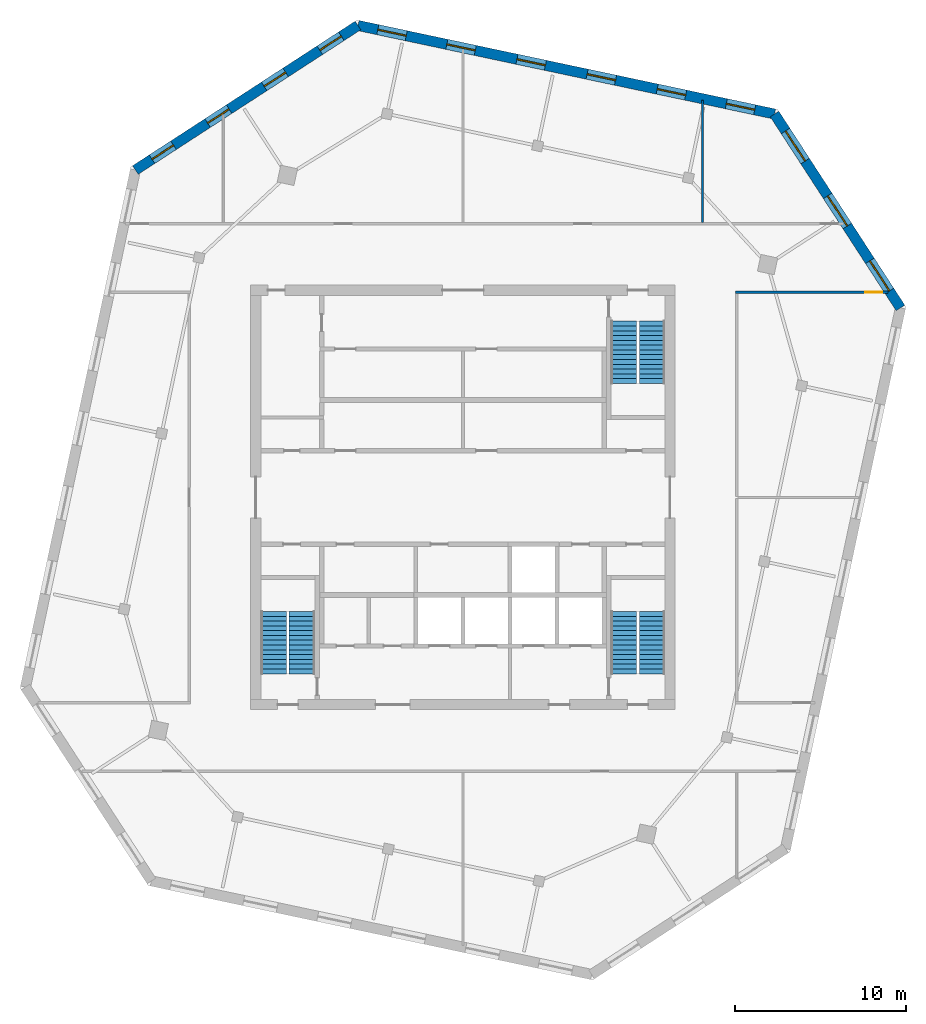
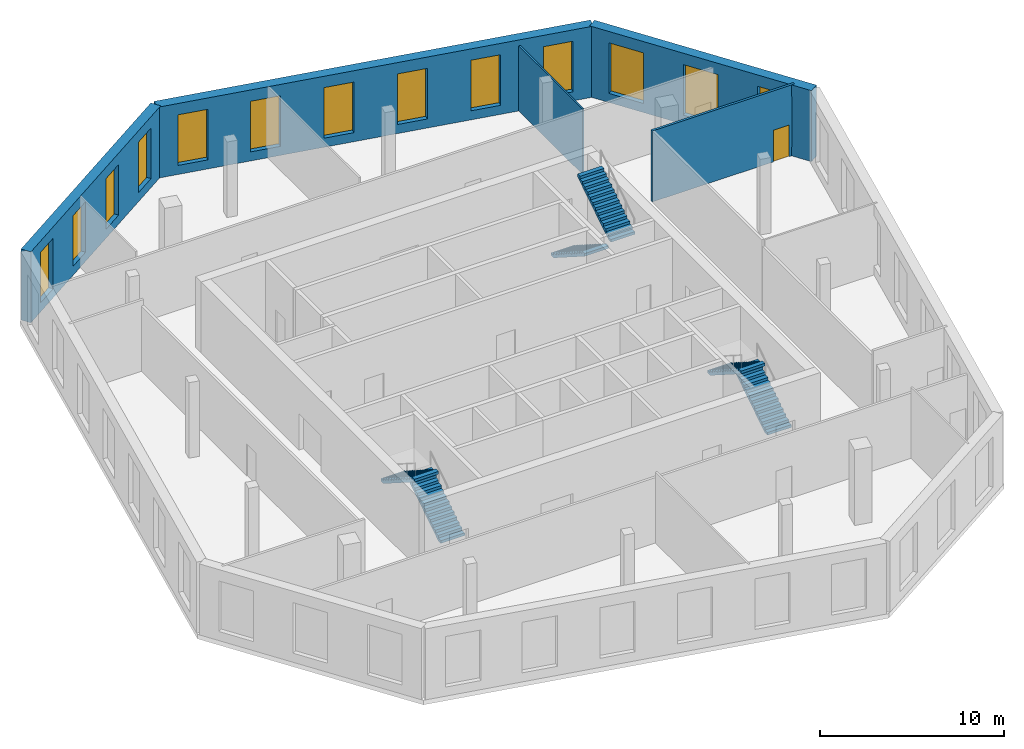
# One storey, part 5 of 6: 13 windows, 6 stair flights, 5 walls, 1 door, 14 openings, 3 elements without a shape of their own.
"""IFC4 building model written with IfcOpenShell, lengths in metres."""

from ifc_helpers import new_model, si_unit, direction, frame, frame_2d, origin, place, context, subcontext, project, spatial, polyline, rectangle, outline, extrude, material, layer, layer_set, type_object, element, fill, aggregate, save


model = new_model("IFC4")

# Units and contexts
model_context = context("Model", 3, precision=1e-05, world=origin(), true_north=direction((0.0, 1.0)))
body_context = subcontext(model_context, "Body", "Model", "MODEL_VIEW")
ifc_project = project(units=[si_unit("LENGTHUNIT", "METRE"), si_unit("AREAUNIT", "SQUARE_METRE"), si_unit("VOLUMEUNIT", "CUBIC_METRE"), si_unit("PLANEANGLEUNIT", "RADIAN"), si_unit("MASSUNIT", "GRAM", prefix="KILO")], contexts=[model_context])

# Site, building, storey
site_placement = place(None, origin())
site = spatial("IfcSite", under=ifc_project, at=site_placement, CompositionType="ELEMENT")
building_placement = place(site_placement, origin())
building = spatial("IfcBuilding", under=site, at=building_placement, Name="Dilmun Exchange Tower", CompositionType="ELEMENT")
storey_placement = place(building_placement, frame((0.0, 0.0, 358.10009765625)))
storey = spatial("IfcBuildingStorey", under=building, at=storey_placement, Name="Crown L84", CompositionType="ELEMENT", Elevation=358.10009765625)

# Wall, opening, door
ifc_material_1 = material(Name="Fire partition EI 60 150 gypsum")
ifc_layer_1 = layer(ifc_material_1, 0.14990234375)
ifc_layer_set_1 = layer_set([ifc_layer_1], Name="Fire partition EI 60 150 gypsum")
wall_type_1 = type_object("IfcWallType", Name="Fire partition EI 60 150 gypsum", PredefinedType="PARTITIONING", material=ifc_layer_set_1)
wall_1_placement = place(storey_placement, frame((15.925048828125, 12.0, 0.0), z_axis=(0.0, 0.0, 1.0), x_axis=(1.0, 0.0, 0.0)))
wall_1 = element("IfcWall", 1, at=wall_1_placement, inside=storey, type_object=wall_type_1, Name="Crown L84 partition", PredefinedType="PARTITIONING", context=body_context, shape_type="SweptSolid", body=[
    extrude(rectangle(XDim=8.91650390625, YDim=0.14990234375, at=frame_2d((4.458251953125, 0.0))), origin(), (0.0, 0.0, 1.0), 4.699951171875),
])
opening_1_placement = place(wall_1_placement, frame((7.574951171875, 0.0, 0.0)))
opening_1 = element("IfcOpeningElement", 2, at=opening_1_placement, cuts=wall_1, Name="Opening CrownL84-D010", PredefinedType="OPENING", context=body_context, shape_type="SweptSolid", body=[
    extrude(rectangle(XDim=1.0, YDim=2.10009765625, at=frame_2d((0.5, 1.050048828125))), frame((0.0, 0.0849609375, 0.0), z_axis=(0.0, -1.0, 0.0), x_axis=(1.0, 0.0, 0.0)), (0.0, 0.0, 1.0), 0.169921875),
])
ifc_material_2 = material(Name="Fire door FD60 1000 x 2100")
door_type = type_object("IfcDoorType", Name="Fire door FD60 1000 x 2100", OperationType="SINGLE_SWING_LEFT", PredefinedType="DOOR", material=ifc_material_2)
door_placement = place(opening_1_placement, origin())
door = element("IfcDoor", 3, at=door_placement, inside=storey, type_object=door_type, Name="Crown L84 door CrownL84-D010", OperationType="SINGLE_SWING_RIGHT", OverallHeight=2.10009765625, OverallWidth=1.0, PredefinedType="DOOR", context=body_context, shape_type="SweptSolid", body=[
    extrude(rectangle(XDim=1.0, YDim=2.10009765625, at=frame_2d((0.5, 1.050048828125))), frame((0.0, 0.02490234375, 0.0), z_axis=(0.0, -1.0, 0.0), x_axis=(1.0, 0.0, 0.0)), (0.0, 0.0, 1.0), 0.050048828125),
])
fill(opening_1, door)

# Wall
ifc_material_3 = material(Name="Partition 100 gypsum")
ifc_layer_2 = layer(ifc_material_3, 0.10009765625)
ifc_layer_set_2 = layer_set([ifc_layer_2], Name="Partition 100 gypsum")
wall_type_2 = type_object("IfcWallType", Name="Partition 100 gypsum", PredefinedType="PARTITIONING", material=ifc_layer_set_2)
wall_2_placement = place(storey_placement, frame((14.0, 16.074951171875, 0.0), z_axis=(0.0, 0.0, 1.0), x_axis=(0.0, 1.0, 0.0)))
element("IfcWall", 4, at=wall_2_placement, inside=storey, type_object=wall_type_2, Name="Crown L84 partition", PredefinedType="PARTITIONING", context=body_context, shape_type="SweptSolid", body=[
    extrude(rectangle(XDim=7.12109375, YDim=0.10009765625, at=frame_2d((3.560546875, 0.0))), origin(), (0.0, 0.0, 1.0), 4.31982421875),
])

# Wall, openings, windows
ifc_material_4 = material(Name="Precast concrete C50/60", Category="concrete")
ifc_layer_3 = layer(ifc_material_4, 0.60009765625)
ifc_layer_set_3 = layer_set([ifc_layer_3], Name="Precast concrete C50/60")
wall_type_3 = type_object("IfcWallType", Name="Precast stone-clad wall 600", PredefinedType="STANDARD", material=ifc_layer_set_3)
wall_3_placement = place(storey_placement, frame((25.561279296875, 11.075439453125, 0.0), z_axis=(0.0, 0.0, 1.0), x_axis=(-0.544642093959, 0.838668581436, 0.0)))
wall_3 = element("IfcWall", 5, at=wall_3_placement, inside=storey, type_object=wall_type_3, Name="Facade wall Crown L84-03", PredefinedType="STANDARD", context=body_context, shape_type="SweptSolid", body=[
    extrude(rectangle(XDim=13.5087890625, YDim=0.60009765625, at=frame_2d((6.75439453125, 0.0))), origin(), (0.0, 0.0, 1.0), 4.699951171875),
])
opening_2_placement = place(wall_3_placement, frame((1.180908203125, 0.0, 0.60009765625)))
opening_2 = element("IfcOpeningElement", 6, at=opening_2_placement, cuts=wall_3, Name="Opening LV210-335", PredefinedType="OPENING", context=body_context, shape_type="SweptSolid", body=[
    extrude(rectangle(XDim=2.10009765625, YDim=3.35009765625, at=frame_2d((1.050048828125, 1.675048828125))), frame((0.0, 0.31005859375, 0.0), z_axis=(0.0, -1.0, 0.0), x_axis=(1.0, 0.0, 0.0)), (0.0, 0.0, 1.0), 0.6201171875),
])
opening_3_placement = place(wall_3_placement, frame((5.704345703125, 0.0, 0.60009765625)))
opening_3 = element("IfcOpeningElement", 7, at=opening_3_placement, cuts=wall_3, Name="Opening LV210-335", PredefinedType="OPENING", context=body_context, shape_type="SweptSolid", body=[
    extrude(rectangle(XDim=2.10009765625, YDim=3.35009765625, at=frame_2d((1.050048828125, 1.675048828125))), frame((0.0, 0.31005859375, 0.0), z_axis=(0.0, -1.0, 0.0), x_axis=(1.0, 0.0, 0.0)), (0.0, 0.0, 1.0), 0.6201171875),
])
opening_4_placement = place(wall_3_placement, frame((10.22802734375, 0.0, 0.60009765625)))
opening_4 = element("IfcOpeningElement", 8, at=opening_4_placement, cuts=wall_3, Name="Opening LV210-335", PredefinedType="OPENING", context=body_context, shape_type="SweptSolid", body=[
    extrude(rectangle(XDim=2.10009765625, YDim=3.35009765625, at=frame_2d((1.050048828125, 1.675048828125))), frame((0.0, 0.31005859375, 0.0), z_axis=(0.0, -1.0, 0.0), x_axis=(1.0, 0.0, 0.0)), (0.0, 0.0, 1.0), 0.6201171875),
])
ifc_material_5 = material(Name="Anodised aluminium louvre blades with sand trap", Category="aluminium")
window_type_1 = type_object("IfcWindowType", Name="Plant louvre 2100 x 3350", PartitioningType="SINGLE_PANEL", PredefinedType="USERDEFINED", material=ifc_material_5)
window_1_placement = place(opening_2_placement, origin())
window_1 = element("IfcWindow", 9, at=window_1_placement, inside=storey, type_object=window_type_1, Name="Plant louvre 4.1", ObjectType="LOUVRE", OverallHeight=3.35009765625, OverallWidth=2.10009765625, PartitioningType="SINGLE_PANEL", PredefinedType="USERDEFINED", context=body_context, shape_type="SweptSolid", body=[
    extrude(rectangle(XDim=2.10009765625, YDim=3.35009765625, at=frame_2d((1.050048828125, 1.675048828125))), frame((0.0, 0.030029296875, 0.0), z_axis=(0.0, -1.0, 0.0), x_axis=(1.0, 0.0, 0.0)), (0.0, 0.0, 1.0), 0.06005859375),
])
fill(opening_2, window_1)
window_2_placement = place(opening_3_placement, origin())
window_2 = element("IfcWindow", 10, at=window_2_placement, inside=storey, type_object=window_type_1, Name="Plant louvre 4.2", ObjectType="LOUVRE", OverallHeight=3.35009765625, OverallWidth=2.10009765625, PartitioningType="SINGLE_PANEL", PredefinedType="USERDEFINED", context=body_context, shape_type="SweptSolid", body=[
    extrude(rectangle(XDim=2.10009765625, YDim=3.35009765625, at=frame_2d((1.050048828125, 1.675048828125))), frame((0.0, 0.030029296875, 0.0), z_axis=(0.0, -1.0, 0.0), x_axis=(1.0, 0.0, 0.0)), (0.0, 0.0, 1.0), 0.06005859375),
])
fill(opening_3, window_2)
window_3_placement = place(opening_4_placement, origin())
window_3 = element("IfcWindow", 11, at=window_3_placement, inside=storey, type_object=window_type_1, Name="Plant louvre 4.3", ObjectType="LOUVRE", OverallHeight=3.35009765625, OverallWidth=2.10009765625, PartitioningType="SINGLE_PANEL", PredefinedType="USERDEFINED", context=body_context, shape_type="SweptSolid", body=[
    extrude(rectangle(XDim=2.10009765625, YDim=3.35009765625, at=frame_2d((1.050048828125, 1.675048828125))), frame((0.0, 0.030029296875, 0.0), z_axis=(0.0, -1.0, 0.0), x_axis=(1.0, 0.0, 0.0)), (0.0, 0.0, 1.0), 0.06005859375),
])
fill(opening_4, window_3)

wall_4_placement = place(storey_placement, frame((18.203857421875, 22.40478515625, 0.0), z_axis=(0.0, 0.0, 1.0), x_axis=(-0.978147852091, 0.20791050827, 0.0)))
wall_4 = element("IfcWall", 12, at=wall_4_placement, inside=storey, type_object=wall_type_3, Name="Facade wall Crown L84-04", PredefinedType="STANDARD", context=body_context, shape_type="SweptSolid", body=[
    extrude(rectangle(XDim=24.88134765625, YDim=0.60009765625, at=frame_2d((12.440673828125, 0.0))), origin(), (0.0, 0.0, 1.0), 4.699951171875),
])
opening_5_placement = place(wall_4_placement, frame((1.181884765625, 0.0, 0.60009765625)))
opening_5 = element("IfcOpeningElement", 13, at=opening_5_placement, cuts=wall_4, Name="Opening LV170-335", PredefinedType="OPENING", context=body_context, shape_type="SweptSolid", body=[
    extrude(rectangle(XDim=1.699951171875, YDim=3.35009765625, at=frame_2d((0.85009765625, 1.675048828125))), frame((0.0, 0.31005859375, 0.0), z_axis=(0.0, -1.0, 0.0), x_axis=(1.0, 0.0, 0.0)), (0.0, 0.0, 1.0), 0.6201171875),
])
opening_6_placement = place(wall_4_placement, frame((5.30810546875, 0.0, 0.60009765625)))
opening_6 = element("IfcOpeningElement", 14, at=opening_6_placement, cuts=wall_4, Name="Opening LV170-335", PredefinedType="OPENING", context=body_context, shape_type="SweptSolid", body=[
    extrude(rectangle(XDim=1.699951171875, YDim=3.35009765625, at=frame_2d((0.85009765625, 1.675048828125))), frame((0.0, 0.31005859375, 0.0), z_axis=(0.0, -1.0, 0.0), x_axis=(1.0, 0.0, 0.0)), (0.0, 0.0, 1.0), 0.6201171875),
])
opening_7_placement = place(wall_4_placement, frame((9.49658203125, 0.0, 0.60009765625)))
opening_7 = element("IfcOpeningElement", 15, at=opening_7_placement, cuts=wall_4, Name="Opening LV170-335", PredefinedType="OPENING", context=body_context, shape_type="SweptSolid", body=[
    extrude(rectangle(XDim=1.699951171875, YDim=3.35009765625, at=frame_2d((0.85009765625, 1.675048828125))), frame((0.0, 0.31005859375, 0.0), z_axis=(0.0, -1.0, 0.0), x_axis=(1.0, 0.0, 0.0)), (0.0, 0.0, 1.0), 0.6201171875),
])
opening_8_placement = place(wall_4_placement, frame((13.684814453125, 0.0, 0.60009765625)))
opening_8 = element("IfcOpeningElement", 16, at=opening_8_placement, cuts=wall_4, Name="Opening LV170-335", PredefinedType="OPENING", context=body_context, shape_type="SweptSolid", body=[
    extrude(rectangle(XDim=1.699951171875, YDim=3.35009765625, at=frame_2d((0.85009765625, 1.675048828125))), frame((0.0, 0.31005859375, 0.0), z_axis=(0.0, -1.0, 0.0), x_axis=(1.0, 0.0, 0.0)), (0.0, 0.0, 1.0), 0.6201171875),
])
opening_9_placement = place(wall_4_placement, frame((17.873291015625, 0.0, 0.60009765625)))
opening_9 = element("IfcOpeningElement", 17, at=opening_9_placement, cuts=wall_4, Name="Opening LV170-335", PredefinedType="OPENING", context=body_context, shape_type="SweptSolid", body=[
    extrude(rectangle(XDim=1.699951171875, YDim=3.35009765625, at=frame_2d((0.85009765625, 1.675048828125))), frame((0.0, 0.31005859375, 0.0), z_axis=(0.0, -1.0, 0.0), x_axis=(1.0, 0.0, 0.0)), (0.0, 0.0, 1.0), 0.6201171875),
])
opening_10_placement = place(wall_4_placement, frame((21.99951171875, 0.0, 0.60009765625)))
opening_10 = element("IfcOpeningElement", 18, at=opening_10_placement, cuts=wall_4, Name="Opening LV170-335", PredefinedType="OPENING", context=body_context, shape_type="SweptSolid", body=[
    extrude(rectangle(XDim=1.699951171875, YDim=3.35009765625, at=frame_2d((0.85009765625, 1.675048828125))), frame((0.0, 0.31005859375, 0.0), z_axis=(0.0, -1.0, 0.0), x_axis=(1.0, 0.0, 0.0)), (0.0, 0.0, 1.0), 0.6201171875),
])
window_type_2 = type_object("IfcWindowType", Name="Plant louvre 1700 x 3350", PartitioningType="SINGLE_PANEL", PredefinedType="USERDEFINED", material=ifc_material_5)
window_4_placement = place(opening_5_placement, origin())
window_4 = element("IfcWindow", 19, at=window_4_placement, inside=storey, type_object=window_type_2, Name="Plant louvre 5.1", ObjectType="LOUVRE", OverallHeight=3.35009765625, OverallWidth=1.699951171875, PartitioningType="SINGLE_PANEL", PredefinedType="USERDEFINED", context=body_context, shape_type="SweptSolid", body=[
    extrude(rectangle(XDim=1.699951171875, YDim=3.35009765625, at=frame_2d((0.85009765625, 1.675048828125))), frame((0.0, 0.030029296875, 0.0), z_axis=(0.0, -1.0, 0.0), x_axis=(1.0, 0.0, 0.0)), (0.0, 0.0, 1.0), 0.06005859375),
])
fill(opening_5, window_4)
window_5_placement = place(opening_6_placement, origin())
window_5 = element("IfcWindow", 20, at=window_5_placement, inside=storey, type_object=window_type_2, Name="Plant louvre 5.2", ObjectType="LOUVRE", OverallHeight=3.35009765625, OverallWidth=1.699951171875, PartitioningType="SINGLE_PANEL", PredefinedType="USERDEFINED", context=body_context, shape_type="SweptSolid", body=[
    extrude(rectangle(XDim=1.699951171875, YDim=3.35009765625, at=frame_2d((0.85009765625, 1.675048828125))), frame((0.0, 0.030029296875, 0.0), z_axis=(0.0, -1.0, 0.0), x_axis=(1.0, 0.0, 0.0)), (0.0, 0.0, 1.0), 0.06005859375),
])
fill(opening_6, window_5)
window_6_placement = place(opening_7_placement, origin())
window_6 = element("IfcWindow", 21, at=window_6_placement, inside=storey, type_object=window_type_2, Name="Plant louvre 5.3", ObjectType="LOUVRE", OverallHeight=3.35009765625, OverallWidth=1.699951171875, PartitioningType="SINGLE_PANEL", PredefinedType="USERDEFINED", context=body_context, shape_type="SweptSolid", body=[
    extrude(rectangle(XDim=1.699951171875, YDim=3.35009765625, at=frame_2d((0.85009765625, 1.675048828125))), frame((0.0, 0.030029296875, 0.0), z_axis=(0.0, -1.0, 0.0), x_axis=(1.0, 0.0, 0.0)), (0.0, 0.0, 1.0), 0.06005859375),
])
fill(opening_7, window_6)
window_7_placement = place(opening_8_placement, origin())
window_7 = element("IfcWindow", 22, at=window_7_placement, inside=storey, type_object=window_type_2, Name="Plant louvre 5.4", ObjectType="LOUVRE", OverallHeight=3.35009765625, OverallWidth=1.699951171875, PartitioningType="SINGLE_PANEL", PredefinedType="USERDEFINED", context=body_context, shape_type="SweptSolid", body=[
    extrude(rectangle(XDim=1.699951171875, YDim=3.35009765625, at=frame_2d((0.85009765625, 1.675048828125))), frame((0.0, 0.030029296875, 0.0), z_axis=(0.0, -1.0, 0.0), x_axis=(1.0, 0.0, 0.0)), (0.0, 0.0, 1.0), 0.06005859375),
])
fill(opening_8, window_7)
window_8_placement = place(opening_9_placement, origin())
window_8 = element("IfcWindow", 23, at=window_8_placement, inside=storey, type_object=window_type_2, Name="Plant louvre 5.5", ObjectType="LOUVRE", OverallHeight=3.35009765625, OverallWidth=1.699951171875, PartitioningType="SINGLE_PANEL", PredefinedType="USERDEFINED", context=body_context, shape_type="SweptSolid", body=[
    extrude(rectangle(XDim=1.699951171875, YDim=3.35009765625, at=frame_2d((0.85009765625, 1.675048828125))), frame((0.0, 0.030029296875, 0.0), z_axis=(0.0, -1.0, 0.0), x_axis=(1.0, 0.0, 0.0)), (0.0, 0.0, 1.0), 0.06005859375),
])
fill(opening_9, window_8)
window_9_placement = place(opening_10_placement, origin())
window_9 = element("IfcWindow", 24, at=window_9_placement, inside=storey, type_object=window_type_2, Name="Plant louvre 5.6", ObjectType="LOUVRE", OverallHeight=3.35009765625, OverallWidth=1.699951171875, PartitioningType="SINGLE_PANEL", PredefinedType="USERDEFINED", context=body_context, shape_type="SweptSolid", body=[
    extrude(rectangle(XDim=1.699951171875, YDim=3.35009765625, at=frame_2d((0.85009765625, 1.675048828125))), frame((0.0, 0.030029296875, 0.0), z_axis=(0.0, -1.0, 0.0), x_axis=(1.0, 0.0, 0.0)), (0.0, 0.0, 1.0), 0.06005859375),
])
fill(opening_10, window_9)

wall_5_placement = place(storey_placement, frame((-6.1337890625, 27.577880859375, 0.0), z_axis=(0.0, 0.0, 1.0), x_axis=(-0.838669409806, -0.544640818389, 0.0)))
wall_5 = element("IfcWall", 25, at=wall_5_placement, inside=storey, type_object=wall_type_3, Name="Facade wall Crown L84-05", PredefinedType="STANDARD", context=body_context, shape_type="SweptSolid", body=[
    extrude(rectangle(XDim=15.5087890625, YDim=0.60009765625, at=frame_2d((7.75439453125, 0.0))), origin(), (0.0, 0.0, 1.0), 4.699951171875),
])
opening_11_placement = place(wall_5_placement, frame((1.157470703125, 0.0, 0.60009765625)))
opening_11 = element("IfcOpeningElement", 26, at=opening_11_placement, cuts=wall_5, Name="Opening LV150-335", PredefinedType="OPENING", context=body_context, shape_type="SweptSolid", body=[
    extrude(rectangle(XDim=1.5, YDim=3.35009765625, at=frame_2d((0.75, 1.675048828125))), frame((0.0, 0.31005859375, 0.0), z_axis=(0.0, -1.0, 0.0), x_axis=(1.0, 0.0, 0.0)), (0.0, 0.0, 1.0), 0.6201171875),
])
opening_12_placement = place(wall_5_placement, frame((5.03466796875, 0.0, 0.60009765625)))
opening_12 = element("IfcOpeningElement", 27, at=opening_12_placement, cuts=wall_5, Name="Opening LV150-335", PredefinedType="OPENING", context=body_context, shape_type="SweptSolid", body=[
    extrude(rectangle(XDim=1.5, YDim=3.35009765625, at=frame_2d((0.75, 1.675048828125))), frame((0.0, 0.31005859375, 0.0), z_axis=(0.0, -1.0, 0.0), x_axis=(1.0, 0.0, 0.0)), (0.0, 0.0, 1.0), 0.6201171875),
])
opening_13_placement = place(wall_5_placement, frame((8.97412109375, 0.0, 0.60009765625)))
opening_13 = element("IfcOpeningElement", 28, at=opening_13_placement, cuts=wall_5, Name="Opening LV150-335", PredefinedType="OPENING", context=body_context, shape_type="SweptSolid", body=[
    extrude(rectangle(XDim=1.5, YDim=3.35009765625, at=frame_2d((0.75, 1.675048828125))), frame((0.0, 0.31005859375, 0.0), z_axis=(0.0, -1.0, 0.0), x_axis=(1.0, 0.0, 0.0)), (0.0, 0.0, 1.0), 0.6201171875),
])
opening_14_placement = place(wall_5_placement, frame((12.851318359375, 0.0, 0.60009765625)))
opening_14 = element("IfcOpeningElement", 29, at=opening_14_placement, cuts=wall_5, Name="Opening LV150-335", PredefinedType="OPENING", context=body_context, shape_type="SweptSolid", body=[
    extrude(rectangle(XDim=1.5, YDim=3.35009765625, at=frame_2d((0.75, 1.675048828125))), frame((0.0, 0.31005859375, 0.0), z_axis=(0.0, -1.0, 0.0), x_axis=(1.0, 0.0, 0.0)), (0.0, 0.0, 1.0), 0.6201171875),
])
window_type_3 = type_object("IfcWindowType", Name="Plant louvre 1500 x 3350", PartitioningType="SINGLE_PANEL", PredefinedType="USERDEFINED", material=ifc_material_5)
window_10_placement = place(opening_11_placement, origin())
window_10 = element("IfcWindow", 30, at=window_10_placement, inside=storey, type_object=window_type_3, Name="Plant louvre 6.1", ObjectType="LOUVRE", OverallHeight=3.35009765625, OverallWidth=1.5, PartitioningType="SINGLE_PANEL", PredefinedType="USERDEFINED", context=body_context, shape_type="SweptSolid", body=[
    extrude(rectangle(XDim=1.5, YDim=3.35009765625, at=frame_2d((0.75, 1.675048828125))), frame((0.0, 0.030029296875, 0.0), z_axis=(0.0, -1.0, 0.0), x_axis=(1.0, 0.0, 0.0)), (0.0, 0.0, 1.0), 0.06005859375),
])
fill(opening_11, window_10)
window_11_placement = place(opening_12_placement, origin())
window_11 = element("IfcWindow", 31, at=window_11_placement, inside=storey, type_object=window_type_3, Name="Plant louvre 6.2", ObjectType="LOUVRE", OverallHeight=3.35009765625, OverallWidth=1.5, PartitioningType="SINGLE_PANEL", PredefinedType="USERDEFINED", context=body_context, shape_type="SweptSolid", body=[
    extrude(rectangle(XDim=1.5, YDim=3.35009765625, at=frame_2d((0.75, 1.675048828125))), frame((0.0, 0.030029296875, 0.0), z_axis=(0.0, -1.0, 0.0), x_axis=(1.0, 0.0, 0.0)), (0.0, 0.0, 1.0), 0.06005859375),
])
fill(opening_12, window_11)
window_12_placement = place(opening_13_placement, origin())
window_12 = element("IfcWindow", 32, at=window_12_placement, inside=storey, type_object=window_type_3, Name="Plant louvre 6.3", ObjectType="LOUVRE", OverallHeight=3.35009765625, OverallWidth=1.5, PartitioningType="SINGLE_PANEL", PredefinedType="USERDEFINED", context=body_context, shape_type="SweptSolid", body=[
    extrude(rectangle(XDim=1.5, YDim=3.35009765625, at=frame_2d((0.75, 1.675048828125))), frame((0.0, 0.030029296875, 0.0), z_axis=(0.0, -1.0, 0.0), x_axis=(1.0, 0.0, 0.0)), (0.0, 0.0, 1.0), 0.06005859375),
])
fill(opening_13, window_12)
window_13_placement = place(opening_14_placement, origin())
window_13 = element("IfcWindow", 33, at=window_13_placement, inside=storey, type_object=window_type_3, Name="Plant louvre 6.4", ObjectType="LOUVRE", OverallHeight=3.35009765625, OverallWidth=1.5, PartitioningType="SINGLE_PANEL", PredefinedType="USERDEFINED", context=body_context, shape_type="SweptSolid", body=[
    extrude(rectangle(XDim=1.5, YDim=3.35009765625, at=frame_2d((0.75, 1.675048828125))), frame((0.0, 0.030029296875, 0.0), z_axis=(0.0, -1.0, 0.0), x_axis=(1.0, 0.0, 0.0)), (0.0, 0.0, 1.0), 0.06005859375),
])
fill(opening_14, window_13)

# Stair, stair flights
ifc_material_6 = material(Name="Concrete C40/50", Category="concrete")
stair_type = type_object("IfcStairType", Name="Exit stair 1500 half-turn", PredefinedType="HALF_TURN_STAIR", material=ifc_material_6)
stair_1_placement = place(storey_placement, origin())
stair_1 = element("IfcStair", 34, at=stair_1_placement, inside=storey, type_object=stair_type, Name="Crown L84 Protected exit stair ST1", PredefinedType="HALF_TURN_STAIR")
stair_flight_type = type_object("IfcStairFlightType", Name="Exit stair flight 1500", PredefinedType="STRAIGHT", material=ifc_material_6)
stair_flight_1_placement = place(storey_placement, frame((9.39990234375, 10.300048828125, 0.0), z_axis=(0.0, 0.0, 1.0), x_axis=(0.0, -1.0, 0.0)))
stair_flight_1 = element("IfcStairFlight", 35, at=stair_flight_1_placement, type_object=stair_flight_type, Name="ST1 flight 1", NumberOfRisers=14, NumberOfTreads=13, PredefinedType="STRAIGHT", RiserHeight=0.178571429, TreadLength=0.28, context=body_context, shape_type="SweptSolid", body=[
    extrude(outline(polyline([(0.0, 0.0), (0.0, 0.178466796875), (0.280029296875, 0.178466796875), (0.280029296875, 0.357177734375), (0.56005859375, 0.357177734375), (0.56005859375, 0.53564453125), (0.840087890625, 0.53564453125), (0.840087890625, 0.71435546875), (1.1201171875, 0.71435546875), (1.1201171875, 0.892822265625), (1.39990234375, 0.892822265625), (1.39990234375, 1.071533203125), (1.679931640625, 1.071533203125), (1.679931640625, 1.25), (1.9599609375, 1.25), (1.9599609375, 1.428466796875), (2.239990234375, 1.428466796875), (2.239990234375, 1.607177734375), (2.52001953125, 1.607177734375), (2.52001953125, 1.78564453125), (2.800048828125, 1.78564453125), (2.800048828125, 1.96435546875), (3.080078125, 1.96435546875), (3.080078125, 2.142822265625), (3.360107421875, 2.142822265625), (3.360107421875, 2.321533203125), (3.639892578125, 2.321533203125), (3.639892578125, 2.5), (3.639892578125, 2.1435546875), (0.27880859375, 0.0), (0.0, 0.0)])), frame((0.0, 0.75, 0.0), z_axis=(0.0, -1.0, 0.0), x_axis=(1.0, 0.0, 0.0)), (0.0, 0.0, 1.0), 1.5),
])
stair_flight_2_placement = place(storey_placement, frame((11.050048828125, 6.659912109375, 2.5), z_axis=(0.0, 0.0, 1.0), x_axis=(0.0, 1.0, 0.0)))
stair_flight_2 = element("IfcStairFlight", 36, at=stair_flight_2_placement, type_object=stair_flight_type, Name="ST1 flight 2", NumberOfRisers=14, NumberOfTreads=13, PredefinedType="STRAIGHT", RiserHeight=0.178571429, TreadLength=0.28, context=body_context, shape_type="SweptSolid", body=[
    extrude(outline(polyline([(0.0, 0.0), (0.0, 0.178466796875), (0.280029296875, 0.178466796875), (0.280029296875, 0.357177734375), (0.56005859375, 0.357177734375), (0.56005859375, 0.53564453125), (0.840087890625, 0.53564453125), (0.840087890625, 0.71435546875), (1.1201171875, 0.71435546875), (1.1201171875, 0.892822265625), (1.39990234375, 0.892822265625), (1.39990234375, 1.071533203125), (1.679931640625, 1.071533203125), (1.679931640625, 1.25), (1.9599609375, 1.25), (1.9599609375, 1.428466796875), (2.239990234375, 1.428466796875), (2.239990234375, 1.607177734375), (2.52001953125, 1.607177734375), (2.52001953125, 1.78564453125), (2.800048828125, 1.78564453125), (2.800048828125, 1.96435546875), (3.080078125, 1.96435546875), (3.080078125, 2.142822265625), (3.360107421875, 2.142822265625), (3.360107421875, 2.321533203125), (3.639892578125, 2.321533203125), (3.639892578125, 2.5), (3.639892578125, 2.1435546875), (0.27880859375, 0.0), (0.0, 0.0)])), frame((0.0, 0.75, 0.0), z_axis=(0.0, -1.0, 0.0), x_axis=(1.0, 0.0, 0.0)), (0.0, 0.0, 1.0), 1.5),
])
aggregate(stair_1, [stair_flight_1, stair_flight_2])

stair_2_placement = place(storey_placement, origin())
stair_2 = element("IfcStair", 37, at=stair_2_placement, inside=storey, type_object=stair_type, Name="Crown L84 Protected exit stair ST2", PredefinedType="HALF_TURN_STAIR")
stair_flight_3_placement = place(storey_placement, frame((-9.39990234375, -10.300048828125, 0.0), z_axis=(0.0, 0.0, 1.0), x_axis=(0.0, 1.0, 0.0)))
stair_flight_3 = element("IfcStairFlight", 38, at=stair_flight_3_placement, type_object=stair_flight_type, Name="ST2 flight 1", NumberOfRisers=14, NumberOfTreads=13, PredefinedType="STRAIGHT", RiserHeight=0.178571429, TreadLength=0.28, context=body_context, shape_type="SweptSolid", body=[
    extrude(outline(polyline([(0.0, 0.0), (0.0, 0.178466796875), (0.280029296875, 0.178466796875), (0.280029296875, 0.357177734375), (0.56005859375, 0.357177734375), (0.56005859375, 0.53564453125), (0.840087890625, 0.53564453125), (0.840087890625, 0.71435546875), (1.1201171875, 0.71435546875), (1.1201171875, 0.892822265625), (1.39990234375, 0.892822265625), (1.39990234375, 1.071533203125), (1.679931640625, 1.071533203125), (1.679931640625, 1.25), (1.9599609375, 1.25), (1.9599609375, 1.428466796875), (2.239990234375, 1.428466796875), (2.239990234375, 1.607177734375), (2.52001953125, 1.607177734375), (2.52001953125, 1.78564453125), (2.800048828125, 1.78564453125), (2.800048828125, 1.96435546875), (3.080078125, 1.96435546875), (3.080078125, 2.142822265625), (3.360107421875, 2.142822265625), (3.360107421875, 2.321533203125), (3.639892578125, 2.321533203125), (3.639892578125, 2.5), (3.639892578125, 2.1435546875), (0.27880859375, 0.0), (0.0, 0.0)])), frame((0.0, 0.75, 0.0), z_axis=(0.0, -1.0, 0.0), x_axis=(1.0, 0.0, 0.0)), (0.0, 0.0, 1.0), 1.5),
])
stair_flight_4_placement = place(storey_placement, frame((-11.050048828125, -6.659912109375, 2.5), z_axis=(0.0, 0.0, 1.0), x_axis=(0.0, -1.0, 0.0)))
stair_flight_4 = element("IfcStairFlight", 39, at=stair_flight_4_placement, type_object=stair_flight_type, Name="ST2 flight 2", NumberOfRisers=14, NumberOfTreads=13, PredefinedType="STRAIGHT", RiserHeight=0.178571429, TreadLength=0.28, context=body_context, shape_type="SweptSolid", body=[
    extrude(outline(polyline([(0.0, 0.0), (0.0, 0.178466796875), (0.280029296875, 0.178466796875), (0.280029296875, 0.357177734375), (0.56005859375, 0.357177734375), (0.56005859375, 0.53564453125), (0.840087890625, 0.53564453125), (0.840087890625, 0.71435546875), (1.1201171875, 0.71435546875), (1.1201171875, 0.892822265625), (1.39990234375, 0.892822265625), (1.39990234375, 1.071533203125), (1.679931640625, 1.071533203125), (1.679931640625, 1.25), (1.9599609375, 1.25), (1.9599609375, 1.428466796875), (2.239990234375, 1.428466796875), (2.239990234375, 1.607177734375), (2.52001953125, 1.607177734375), (2.52001953125, 1.78564453125), (2.800048828125, 1.78564453125), (2.800048828125, 1.96435546875), (3.080078125, 1.96435546875), (3.080078125, 2.142822265625), (3.360107421875, 2.142822265625), (3.360107421875, 2.321533203125), (3.639892578125, 2.321533203125), (3.639892578125, 2.5), (3.639892578125, 2.1435546875), (0.27880859375, 0.0), (0.0, 0.0)])), frame((0.0, 0.75, 0.0), z_axis=(0.0, -1.0, 0.0), x_axis=(1.0, 0.0, 0.0)), (0.0, 0.0, 1.0), 1.5),
])
aggregate(stair_2, [stair_flight_3, stair_flight_4])

stair_3_placement = place(storey_placement, origin())
stair_3 = element("IfcStair", 40, at=stair_3_placement, inside=storey, type_object=stair_type, Name="Crown L84 Protected exit stair ST3", PredefinedType="HALF_TURN_STAIR")
stair_flight_5_placement = place(storey_placement, frame((11.050048828125, -10.300048828125, 0.0), z_axis=(0.0, 0.0, 1.0), x_axis=(0.0, 1.0, 0.0)))
stair_flight_5 = element("IfcStairFlight", 41, at=stair_flight_5_placement, type_object=stair_flight_type, Name="ST3 flight 1", NumberOfRisers=14, NumberOfTreads=13, PredefinedType="STRAIGHT", RiserHeight=0.178571429, TreadLength=0.28, context=body_context, shape_type="SweptSolid", body=[
    extrude(outline(polyline([(0.0, 0.0), (0.0, 0.178466796875), (0.280029296875, 0.178466796875), (0.280029296875, 0.357177734375), (0.56005859375, 0.357177734375), (0.56005859375, 0.53564453125), (0.840087890625, 0.53564453125), (0.840087890625, 0.71435546875), (1.1201171875, 0.71435546875), (1.1201171875, 0.892822265625), (1.39990234375, 0.892822265625), (1.39990234375, 1.071533203125), (1.679931640625, 1.071533203125), (1.679931640625, 1.25), (1.9599609375, 1.25), (1.9599609375, 1.428466796875), (2.239990234375, 1.428466796875), (2.239990234375, 1.607177734375), (2.52001953125, 1.607177734375), (2.52001953125, 1.78564453125), (2.800048828125, 1.78564453125), (2.800048828125, 1.96435546875), (3.080078125, 1.96435546875), (3.080078125, 2.142822265625), (3.360107421875, 2.142822265625), (3.360107421875, 2.321533203125), (3.639892578125, 2.321533203125), (3.639892578125, 2.5), (3.639892578125, 2.1435546875), (0.27880859375, 0.0), (0.0, 0.0)])), frame((0.0, 0.75, 0.0), z_axis=(0.0, -1.0, 0.0), x_axis=(1.0, 0.0, 0.0)), (0.0, 0.0, 1.0), 1.5),
])
stair_flight_6_placement = place(storey_placement, frame((9.39990234375, -6.659912109375, 2.5), z_axis=(0.0, 0.0, 1.0), x_axis=(0.0, -1.0, 0.0)))
stair_flight_6 = element("IfcStairFlight", 42, at=stair_flight_6_placement, type_object=stair_flight_type, Name="ST3 flight 2", NumberOfRisers=14, NumberOfTreads=13, PredefinedType="STRAIGHT", RiserHeight=0.178571429, TreadLength=0.28, context=body_context, shape_type="SweptSolid", body=[
    extrude(outline(polyline([(0.0, 0.0), (0.0, 0.178466796875), (0.280029296875, 0.178466796875), (0.280029296875, 0.357177734375), (0.56005859375, 0.357177734375), (0.56005859375, 0.53564453125), (0.840087890625, 0.53564453125), (0.840087890625, 0.71435546875), (1.1201171875, 0.71435546875), (1.1201171875, 0.892822265625), (1.39990234375, 0.892822265625), (1.39990234375, 1.071533203125), (1.679931640625, 1.071533203125), (1.679931640625, 1.25), (1.9599609375, 1.25), (1.9599609375, 1.428466796875), (2.239990234375, 1.428466796875), (2.239990234375, 1.607177734375), (2.52001953125, 1.607177734375), (2.52001953125, 1.78564453125), (2.800048828125, 1.78564453125), (2.800048828125, 1.96435546875), (3.080078125, 1.96435546875), (3.080078125, 2.142822265625), (3.360107421875, 2.142822265625), (3.360107421875, 2.321533203125), (3.639892578125, 2.321533203125), (3.639892578125, 2.5), (3.639892578125, 2.1435546875), (0.27880859375, 0.0), (0.0, 0.0)])), frame((0.0, 0.75, 0.0), z_axis=(0.0, -1.0, 0.0), x_axis=(1.0, 0.0, 0.0)), (0.0, 0.0, 1.0), 1.5),
])
aggregate(stair_3, [stair_flight_5, stair_flight_6])

save(model, "model.ifc")
